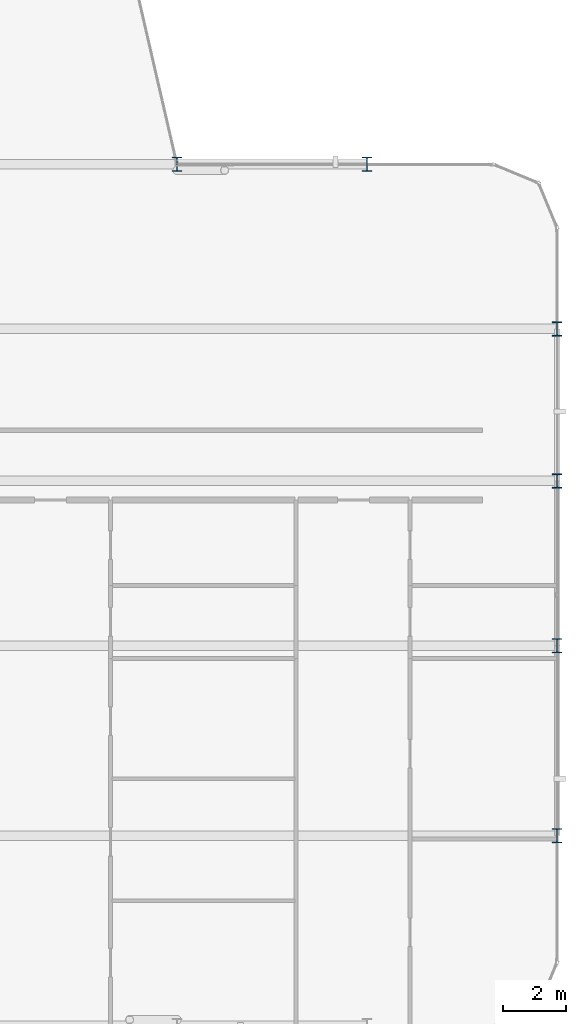
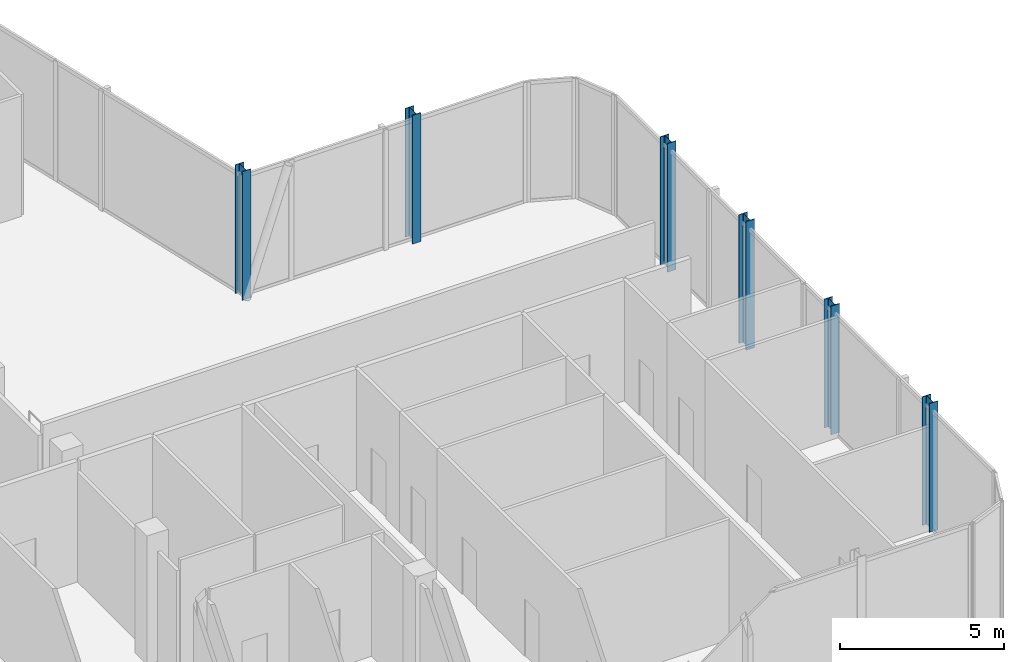
# One storey, part 2 of 29: 6 columns.
"""IFC4 building model written with IfcOpenShell, lengths in metres."""

from ifc_helpers import new_model, si_unit, direction, frame, origin, origin_2d, place, context, subcontext, project, spatial, i_section, extrude, material, material_profile, profile_set, type_object, element, save


model = new_model("IFC4")

# Units and contexts
model_context = context("Model", 3, precision=1e-05, world=origin(), true_north=direction((0.0, 1.0)))
body_context = subcontext(model_context, "Body", "Model", "MODEL_VIEW")
ifc_project = project(units=[si_unit("LENGTHUNIT", "METRE"), si_unit("AREAUNIT", "SQUARE_METRE"), si_unit("VOLUMEUNIT", "CUBIC_METRE"), si_unit("PLANEANGLEUNIT", "RADIAN"), si_unit("MASSUNIT", "GRAM", prefix="KILO")], contexts=[model_context])

# Site, building, storey
site_placement = place(None, origin())
site = spatial("IfcSite", under=ifc_project, at=site_placement, CompositionType="ELEMENT")
building_placement = place(site_placement, origin())
building = spatial("IfcBuilding", under=site, at=building_placement, Name="Keshet Zoharim Tower", CompositionType="ELEMENT")
storey_placement = place(building_placement, frame((0.0, 0.0, 218.0)))
storey = spatial("IfcBuildingStorey", under=building, at=storey_placement, Name="L54", CompositionType="ELEMENT", Elevation=218.0)

# Columns
ifc_material = material(Name="Steel S355", Category="steel")
ifc_material_profile = material_profile(ifc_material, i_section(OverallWidth=0.300048828125, OverallDepth=0.449951171875, WebThickness=0.013916015625, FlangeThickness=0.02587890625, FilletRadius=0.027099609375, at=origin_2d()), Name="HEB450")
ifc_profile_set = profile_set([ifc_material_profile], Name="Steel S355")
column_type = type_object("IfcColumnType", Name="COL-HEB450", PredefinedType="COLUMN", material=ifc_profile_set)
for number, where, z_axis, x_axis, name in (
    (1, (45.0, 27.89990234375, 0.0), (0.0, 0.0, 1.0), (1.0, 0.0, 0.0), "L54 Column 8F"),
    (2, (51.0, 27.89990234375, 0.0), (0.0, 0.0, 1.0), (1.0, 0.0, 0.0), "L54 Column 9F"),
    (3, (57.0, 6.699951171875, 0.0), (0.0, 0.0, 1.0), (1.0, 0.0, 0.0), "L54 Column 10B"),
    (4, (57.0, 12.699951171875, 0.0), (0.0, 0.0, 1.0), (1.0, 0.0, 0.0), "L54 Column 10C"),
    (5, (57.0, 17.89990234375, 0.0), (0.0, 0.0, 1.0), (1.0, 0.0, 0.0), "L54 Column 10D"),
    (6, (57.0, 22.699951171875, 0.0), (0.0, 0.0, 1.0), (1.0, 0.0, 0.0), "L54 Column 10E"),
):
    element("IfcColumn", number, at=place(storey_placement, frame(where, z_axis=z_axis, x_axis=x_axis)), inside=storey, type_object=column_type, Name=name, PredefinedType="COLUMN", context=body_context, shape_type="SweptSolid", body=[
        extrude(i_section(OverallWidth=0.300048828125, OverallDepth=0.449951171875, WebThickness=0.013916015625, FlangeThickness=0.02587890625, FilletRadius=0.027099609375, at=origin_2d()), origin(), (0.0, 0.0, 1.0), 4.800048828125),
    ])

save(model, "model.ifc")
